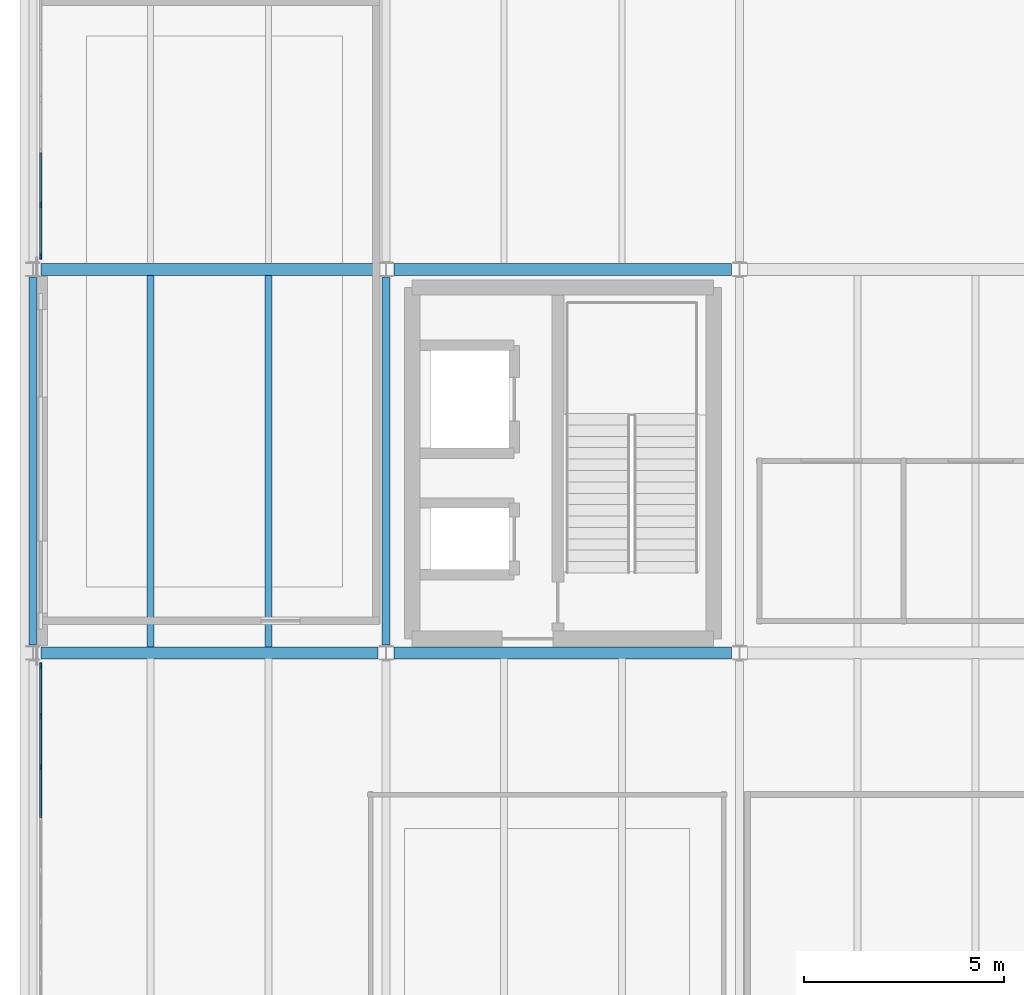
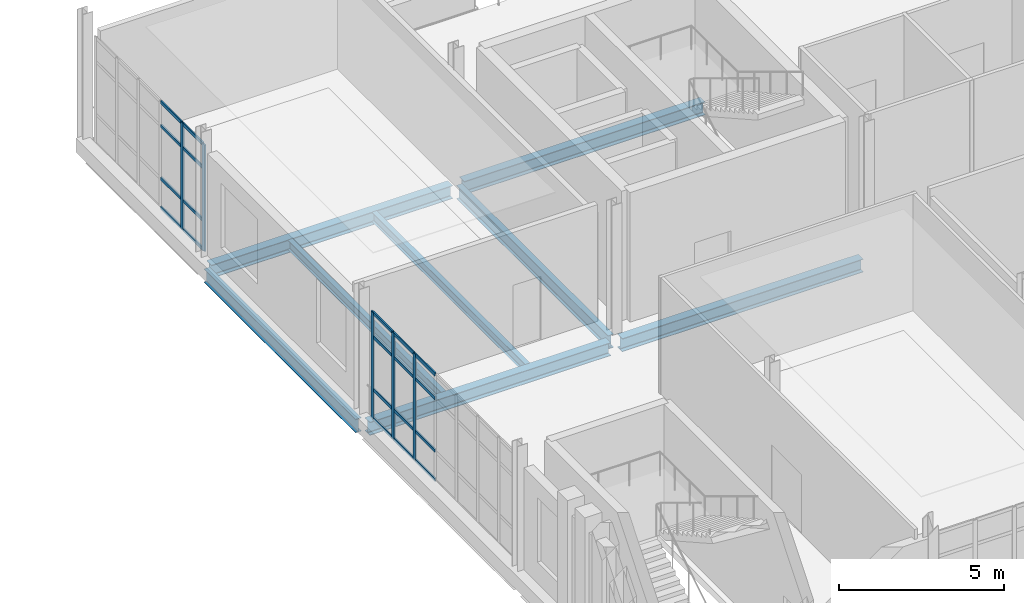
# One storey, part 21 of 112: 25 members, 8 beams, 2 elements without a shape of their own.
"""IFC4 building model written with IfcOpenShell, lengths in metres."""

import ifcopenshell
import ifcopenshell.guid

model = None  # the IFC model being written
_history = None  # IfcOwnerHistory: only IFC2X3 demands one
_inside = {}  # id of a spatial element -> (the spatial element, [elements in it])
_under = {}  # id of a project, library or spatial element -> (it, [spatial elements below it])
_declared = {}  # id of a project -> (the project, [libraries it declares])
_typed = {}  # id of a type object -> (the type object, [elements of that type])
_made_of = {}  # id of a material, layer set ... -> (it, [elements and type objects made of it])


def new_model(schema):
    """Start an empty IFC model of exactly this schema.

    Asked for "IFC4X3", IfcOpenShell would pick the latest addendum, in which some entities
    have other attributes; the version numbers below select the first issue.
    IFC2X3 requires an IfcOwnerHistory on every rooted entity: one is made here for all.
    """
    global model, _history
    if schema == "IFC4X3":
        model = ifcopenshell.file(schema_version=(4, 3, 0, 0))
    else:
        model = ifcopenshell.file(schema=schema)
    _inside.clear()
    _under.clear()
    _declared.clear()
    _typed.clear()
    _made_of.clear()
    _history = None
    if model.schema == "IFC2X3":
        org = make("IfcOrganization", Name="unknown")
        user = make(
            "IfcPersonAndOrganization",
            ThePerson=make("IfcPerson", FamilyName="unknown"),
            TheOrganization=org,
        )
        app = make(
            "IfcApplication",
            ApplicationDeveloper=org,
            Version="unknown",
            ApplicationFullName="unknown",
            ApplicationIdentifier="unknown",
        )
        _history = make(
            "IfcOwnerHistory",
            OwningUser=user,
            OwningApplication=app,
            ChangeAction="ADDED",
            CreationDate=0,
        )
    return model


def make(cls, **values):
    """One entity of the class cls with the attributes given. An attribute that is None is left unset."""
    return model.create_entity(
        cls, **{name: value for name, value in values.items() if value is not None}
    )


def rooted(cls, **values):
    """An entity with a GlobalId (a new one), such as an element, a storey or a relation."""
    return make(cls, GlobalId=ifcopenshell.guid.new(), OwnerHistory=_history, **values)


def si_unit(unit_type, name, prefix=None):
    """IfcSIUnit, for example si_unit("LENGTHUNIT", "METRE", prefix="MILLI")."""
    return make("IfcSIUnit", UnitType=unit_type, Prefix=prefix, Name=name)


def assignment(units):
    """IfcUnitAssignment: the units of a project."""
    return None if units is None else make("IfcUnitAssignment", Units=units)


def point(xyz):
    """IfcCartesianPoint."""
    return None if xyz is None else make("IfcCartesianPoint", Coordinates=xyz)


def direction(xyz):
    """IfcDirection."""
    return None if xyz is None else make("IfcDirection", DirectionRatios=xyz)


def frame(location, z_axis=None, x_axis=None):
    """IfcAxis2Placement3D, a coordinate frame: its origin and axes. An axis left out is left unset."""
    return make(
        "IfcAxis2Placement3D",
        Location=point(location),
        Axis=direction(z_axis),
        RefDirection=direction(x_axis),
    )


def frame_2d(location, x_axis=None):
    """IfcAxis2Placement2D, a coordinate frame in the plane: its origin and x axis."""
    return make(
        "IfcAxis2Placement2D", Location=point(location), RefDirection=direction(x_axis)
    )


def origin():
    """The frame at (0, 0, 0) with its axes left unset."""
    return frame((0.0, 0.0, 0.0))


def origin_2d():
    """The frame at (0, 0) in the plane with its x axis left unset."""
    return frame_2d((0.0, 0.0))


def place(relative_to, where):
    """IfcLocalPlacement: puts the frame where relative to a parent placement (None: the world)."""
    return make(
        "IfcLocalPlacement", PlacementRelTo=relative_to, RelativePlacement=where
    )


def context(
    kind, dimensions, precision=None, world=None, true_north=None, identifier=None
):
    """IfcGeometricRepresentationContext, for example the 3D "Model" context."""
    return make(
        "IfcGeometricRepresentationContext",
        ContextIdentifier=identifier,
        ContextType=kind,
        CoordinateSpaceDimension=dimensions,
        Precision=precision,
        WorldCoordinateSystem=world,
        TrueNorth=true_north,
    )


def subcontext(parent, identifier, kind, view, scale=None):
    """IfcGeometricRepresentationSubContext, for example "Body" below "Model"."""
    return make(
        "IfcGeometricRepresentationSubContext",
        ContextIdentifier=identifier,
        ContextType=kind,
        ParentContext=parent,
        TargetScale=scale,
        TargetView=view,
    )


def project(units=None, contexts=None):
    """IfcProject with its units and contexts."""
    return rooted(
        "IfcProject",
        Name="project",
        RepresentationContexts=contexts,
        UnitsInContext=assignment(units),
    )


def spatial(cls, under=None, at=None, **own):
    """A site, building, storey or space (cls), placed at a placement, below another one or the project."""
    s = rooted(cls, ObjectPlacement=at, **own)
    if under is not None:
        _under.setdefault(under.id(), (under, []))[1].append(s)
    return s


def profile(cls, at=None, kind="AREA", **sizes):
    """A parametric profile (cls). Its sizes go by their IFC names, for example OverallWidth=200.0."""
    return make(cls, ProfileType=kind, Position=at, **sizes)


def rectangle(**sizes):
    """IfcRectangleProfileDef."""
    return profile("IfcRectangleProfileDef", **sizes)


def i_section(**sizes):
    """IfcIShapeProfileDef."""
    return profile("IfcIShapeProfileDef", **sizes)


def extrude(swept, where, along, depth):
    """IfcExtrudedAreaSolid: the profile swept, set in the frame where, extruded along a direction by depth."""
    return make(
        "IfcExtrudedAreaSolid",
        SweptArea=swept,
        Position=where,
        ExtrudedDirection=direction(along),
        Depth=depth,
    )


def shape(context_of_items, identifier, shape_type, items):
    """IfcShapeRepresentation: the items that make up one representation, for example the "Body"."""
    return make(
        "IfcShapeRepresentation",
        ContextOfItems=context_of_items,
        RepresentationIdentifier=identifier,
        RepresentationType=shape_type,
        Items=items,
    )


def material(Name=None, Category=None):
    """IfcMaterial."""
    return make("IfcMaterial", Name=Name, Category=Category)


def layer(
    of_material, thickness, ventilated=None, Name=None, Category=None, Priority=None
):
    """IfcMaterialLayer: one layer of a wall or slab, of a material (None: an air gap)."""
    return make(
        "IfcMaterialLayer",
        Material=of_material,
        LayerThickness=thickness,
        IsVentilated=ventilated,
        Name=Name,
        Category=Category,
        Priority=Priority,
    )


def layer_set(layers, Name=None):
    """IfcMaterialLayerSet."""
    return make("IfcMaterialLayerSet", MaterialLayers=layers, LayerSetName=Name)


def material_profile(
    of_material, cross_section, Name=None, Category=None, Priority=None
):
    """IfcMaterialProfile: a cross section and its material."""
    return make(
        "IfcMaterialProfile",
        Name=Name,
        Material=of_material,
        Profile=cross_section,
        Priority=Priority,
        Category=Category,
    )


def profile_set(profiles, Name=None, composite=None):
    """IfcMaterialProfileSet."""
    return make(
        "IfcMaterialProfileSet",
        Name=Name,
        MaterialProfiles=profiles,
        CompositeProfile=composite,
    )


def made_of(thing, what):
    """Note that an element or type object is made of a material, layer set ...; save() writes the relation."""
    if what is not None:
        _made_of.setdefault(what.id(), (what, []))[1].append(thing)
    return thing


def type_object(cls, material=None, **own):
    """A type object (cls), such as IfcWallType, which elements share."""
    return made_of(rooted(cls, **own), material)


def element(
    cls,
    number,
    at=None,
    inside=None,
    cuts=None,
    type_object=None,
    material=None,
    context=None,
    identifier="Body",
    shape_type=None,
    held_by="IfcProductDefinitionShape",
    body=None,
    shapes=None,
    **own,
):
    """One element of the class cls, such as IfcWall. Its Tag is "e" and its number.

    at: its placement. inside: the storey or other place that contains it. cuts: it is an
    opening in that element (IfcRelVoidsElement). A single representation is given by context,
    identifier, shape_type and body (its items); several are given by shapes. held_by: the class
    of the entity that holds the representations. save() writes the other relations.
    """
    e = rooted(cls, Tag="e%d" % number, ObjectPlacement=at, **own)
    if body is not None:
        shapes = [shape(context, identifier, shape_type, body)]
    if shapes is not None:
        e.Representation = make(held_by, Representations=shapes)
    if inside is not None:
        _inside.setdefault(inside.id(), (inside, []))[1].append(e)
    if cuts is not None:
        rooted(
            "IfcRelVoidsElement", RelatingBuildingElement=cuts, RelatedOpeningElement=e
        )
    if type_object is not None:
        _typed.setdefault(type_object.id(), (type_object, []))[1].append(e)
    return made_of(e, material)


def aggregate(whole, parts):
    """IfcRelAggregates: a whole, such as a stair, and the parts it consists of."""
    return rooted("IfcRelAggregates", RelatingObject=whole, RelatedObjects=parts)


def save(model, path):
    """Write the relations noted so far, then the file.

    IfcRelAggregates (storeys below a building ...), IfcRelContainedInSpatialStructure (elements
    in a storey), IfcRelDefinesByType, IfcRelAssociatesMaterial and IfcRelDeclares: one each for
    every whole, place, type object, material and project.
    """
    for whole, parts in _under.values():
        aggregate(whole, parts)
    for where, things in _inside.values():
        rooted(
            "IfcRelContainedInSpatialStructure",
            RelatedElements=things,
            RelatingStructure=where,
        )
    for kind, things in _typed.values():
        rooted("IfcRelDefinesByType", RelatedObjects=things, RelatingType=kind)
    for what, things in _made_of.values():
        rooted("IfcRelAssociatesMaterial", RelatedObjects=things, RelatingMaterial=what)
    for by, libraries in _declared.values():
        rooted("IfcRelDeclares", RelatingContext=by, RelatedDefinitions=libraries)
    model.write(path)


model = new_model("IFC4")

# Units and contexts
model_context = context("Model", 3, precision=1e-05, world=origin(), true_north=direction((0.0, 1.0)))
body_context = subcontext(model_context, "Body", "Model", "MODEL_VIEW")
ifc_project = project(units=[si_unit("LENGTHUNIT", "METRE"), si_unit("AREAUNIT", "SQUARE_METRE"), si_unit("VOLUMEUNIT", "CUBIC_METRE"), si_unit("PLANEANGLEUNIT", "RADIAN"), si_unit("MASSUNIT", "GRAM", prefix="KILO")], contexts=[model_context])

# Site, building, storey
site_placement = place(None, origin())
site = spatial("IfcSite", under=ifc_project, at=site_placement, CompositionType="ELEMENT")
building_placement = place(site_placement, origin())
building = spatial("IfcBuilding", under=site, at=building_placement, Name="Yeouljin Market Hall", CompositionType="ELEMENT")
storey_placement = place(building_placement, frame((0.0, 0.0, 6.0)))
storey = spatial("IfcBuildingStorey", under=building, at=storey_placement, Name="L01", CompositionType="ELEMENT", Elevation=6.0)

# Beams
ifc_material_1 = material(Name="Steel SM355", Category="steel")
ifc_material_profile_1 = material_profile(ifc_material_1, i_section(OverallWidth=0.199951171875, OverallDepth=0.5, WebThickness=0.010009765625, FlangeThickness=0.01611328125, FilletRadius=0.02001953125, at=origin_2d()), Name="H-500x200x10x16")
ifc_profile_set_1 = profile_set([ifc_material_profile_1], Name="Steel SM355")
beam_type_1 = type_object("IfcBeamType", Name="Beam_H-500x200x10x16", PredefinedType="BEAM", material=ifc_profile_set_1)
for number, where, z_axis, x_axis, name in (
    (1, (0.0, 19.39990234375, -0.514892578125), (0.0, 1.0, 0.0), (-1.0, 0.0, 0.0), "Primary beam BM-L01-Y126"),
    (2, (8.85009765625, 19.39990234375, -0.514892578125), (0.0, 1.0, 0.0), (-1.0, 0.0, 0.0), "Primary beam BM-L01-Y130"),
):
    element("IfcBeam", number, at=place(storey_placement, frame(where, z_axis=z_axis, x_axis=x_axis)), inside=storey, type_object=beam_type_1, Name=name, PredefinedType="BEAM", context=body_context, shape_type="SweptSolid", body=[
        extrude(i_section(OverallWidth=0.199951171875, OverallDepth=0.5, WebThickness=0.010009765625, FlangeThickness=0.01611328125, FilletRadius=0.02001953125, at=origin_2d()), origin(), (0.0, 0.0, 1.0), 9.2001953125),
    ])

# Curtain wall, members
ifc_material_2 = material(Name="Thermally Broken Aluminium", Category="aluminium")
ifc_layer = layer(ifc_material_2, 0.14990234375)
ifc_layer_set = layer_set([ifc_layer], Name="Thermally Broken Aluminium")
curtain_wall_type = type_object("IfcCurtainWallType", Name="CW_AcademyRibbon_System", PredefinedType="USERDEFINED", material=ifc_layer_set)
curtain_wall_1_placement = place(storey_placement, origin())
curtain_wall_1 = element("IfcCurtainWall", 3, at=curtain_wall_1_placement, inside=storey, type_object=curtain_wall_type, Name="Curtain wall CW-L01-W06", ObjectType="CURTAIN WALL", PredefinedType="USERDEFINED")
ifc_material_3 = material(Name="Thermally Broken Aluminium", Category="aluminium")
ifc_material_profile_2 = material_profile(ifc_material_3, rectangle(XDim=0.048095703125, YDim=0.14990234375, at=origin_2d()), Name="CW-MULL-48x150")
ifc_profile_set_2 = profile_set([ifc_material_profile_2], Name="Thermally Broken Aluminium")
member_type_1 = type_object("IfcMemberType", Name="CWMullion_48x150", PredefinedType="MULLION", material=ifc_profile_set_2)
member_1_placement = place(storey_placement, frame((0.199951171875, 16.32861328125, 0.0), z_axis=(0.0, 0.0, 1.0), x_axis=(-1.0, 0.0, 0.0)))
member_1 = element("IfcMember", 4, at=member_1_placement, type_object=member_type_1, Name="CW-05 mullion 6", PredefinedType="MULLION", context=body_context, shape_type="SweptSolid", body=[
    extrude(rectangle(XDim=0.048095703125, YDim=0.14990234375, at=origin_2d()), origin(), (0.0, 0.0, 1.0), 3.949951171875),
])
member_2_placement = place(storey_placement, frame((0.199951171875, 17.6142578125, 0.0), z_axis=(0.0, 0.0, 1.0), x_axis=(-1.0, 0.0, 0.0)))
member_2 = element("IfcMember", 5, at=member_2_placement, type_object=member_type_1, Name="CW-05 mullion 7", PredefinedType="MULLION", context=body_context, shape_type="SweptSolid", body=[
    extrude(rectangle(XDim=0.048095703125, YDim=0.14990234375, at=origin_2d()), origin(), (0.0, 0.0, 1.0), 3.949951171875),
])
member_3_placement = place(storey_placement, frame((0.199951171875, 18.8759765625, 0.0), z_axis=(0.0, 0.0, 1.0), x_axis=(-1.0, 0.0, 0.0)))
member_3 = element("IfcMember", 6, at=member_3_placement, type_object=member_type_1, Name="CW-05 mullion 8", PredefinedType="MULLION", context=body_context, shape_type="SweptSolid", body=[
    extrude(rectangle(XDim=0.048095703125, YDim=0.14990234375, at=origin_2d()), origin(), (0.0, 0.0, 1.0), 3.949951171875),
])

curtain_wall_2_placement = place(storey_placement, origin())
curtain_wall_2 = element("IfcCurtainWall", 7, at=curtain_wall_2_placement, inside=storey, type_object=curtain_wall_type, Name="Curtain wall CW-L01-W08", ObjectType="CURTAIN WALL", PredefinedType="USERDEFINED")
member_4_placement = place(storey_placement, frame((0.199951171875, 29.1240234375, 0.0), z_axis=(0.0, 0.0, 1.0), x_axis=(-1.0, 0.0, 0.0)))
member_4 = element("IfcMember", 8, at=member_4_placement, type_object=member_type_1, Name="CW-05 mullion 1", PredefinedType="MULLION", context=body_context, shape_type="SweptSolid", body=[
    extrude(rectangle(XDim=0.048095703125, YDim=0.14990234375, at=origin_2d()), origin(), (0.0, 0.0, 1.0), 3.949951171875),
])
member_5_placement = place(storey_placement, frame((0.199951171875, 30.419921875, 0.0), z_axis=(0.0, 0.0, 1.0), x_axis=(-1.0, 0.0, 0.0)))
member_5 = element("IfcMember", 9, at=member_5_placement, type_object=member_type_1, Name="CW-05 mullion 2", PredefinedType="MULLION", context=body_context, shape_type="SweptSolid", body=[
    extrude(rectangle(XDim=0.048095703125, YDim=0.14990234375, at=origin_2d()), origin(), (0.0, 0.0, 1.0), 3.949951171875),
])

# Member
ifc_material_4 = material(Name="Thermally Broken Aluminium", Category="aluminium")
ifc_material_profile_3 = material_profile(ifc_material_4, rectangle(XDim=0.048095703125, YDim=0.1201171875, at=origin_2d()), Name="CW-TRAN-48x120")
ifc_profile_set_3 = profile_set([ifc_material_profile_3], Name="Thermally Broken Aluminium")
member_type_2 = type_object("IfcMemberType", Name="CWTransom_48x120", PredefinedType="USERDEFINED", material=ifc_profile_set_3)
member_6_placement = place(storey_placement, frame((0.199951171875, 15.06689453125, 0.02392578125), z_axis=(0.0, 1.0, 0.0), x_axis=(-1.0, 0.0, 0.0)))
member_6 = element("IfcMember", 10, at=member_6_placement, type_object=member_type_2, Name="CW-05 transom 5.1", ObjectType="TRANSOM", PredefinedType="USERDEFINED", context=body_context, shape_type="SweptSolid", body=[
    extrude(rectangle(XDim=0.048095703125, YDim=0.1201171875, at=origin_2d()), origin(), (0.0, 0.0, 1.0), 1.23779296875),
])

member_7_placement = place(storey_placement, frame((0.199951171875, 15.06689453125, 1.10009765625), z_axis=(0.0, 1.0, 0.0), x_axis=(-1.0, 0.0, 0.0)))
member_7 = element("IfcMember", 11, at=member_7_placement, type_object=member_type_2, Name="CW-05 transom 5.2", ObjectType="TRANSOM", PredefinedType="USERDEFINED", context=body_context, shape_type="SweptSolid", body=[
    extrude(rectangle(XDim=0.048095703125, YDim=0.1201171875, at=origin_2d()), origin(), (0.0, 0.0, 1.0), 1.23779296875),
])

member_8_placement = place(storey_placement, frame((0.199951171875, 15.06689453125, 3.050048828125), z_axis=(0.0, 1.0, 0.0), x_axis=(-1.0, 0.0, 0.0)))
member_8 = element("IfcMember", 12, at=member_8_placement, type_object=member_type_2, Name="CW-05 transom 5.3", ObjectType="TRANSOM", PredefinedType="USERDEFINED", context=body_context, shape_type="SweptSolid", body=[
    extrude(rectangle(XDim=0.048095703125, YDim=0.1201171875, at=origin_2d()), origin(), (0.0, 0.0, 1.0), 1.23779296875),
])

member_9_placement = place(storey_placement, frame((0.199951171875, 15.06689453125, 3.926025390625), z_axis=(0.0, 1.0, 0.0), x_axis=(-1.0, 0.0, 0.0)))
member_9 = element("IfcMember", 13, at=member_9_placement, type_object=member_type_2, Name="CW-05 transom 5.4", ObjectType="TRANSOM", PredefinedType="USERDEFINED", context=body_context, shape_type="SweptSolid", body=[
    extrude(rectangle(XDim=0.048095703125, YDim=0.1201171875, at=origin_2d()), origin(), (0.0, 0.0, 1.0), 1.23779296875),
])

member_10_placement = place(storey_placement, frame((0.199951171875, 16.3525390625, 0.02392578125), z_axis=(0.0, 1.0, 0.0), x_axis=(-1.0, 0.0, 0.0)))
member_10 = element("IfcMember", 14, at=member_10_placement, type_object=member_type_2, Name="CW-05 transom 6.1", ObjectType="TRANSOM", PredefinedType="USERDEFINED", context=body_context, shape_type="SweptSolid", body=[
    extrude(rectangle(XDim=0.048095703125, YDim=0.1201171875, at=origin_2d()), origin(), (0.0, 0.0, 1.0), 1.23779296875),
])

member_11_placement = place(storey_placement, frame((0.199951171875, 16.3525390625, 1.10009765625), z_axis=(0.0, 1.0, 0.0), x_axis=(-1.0, 0.0, 0.0)))
member_11 = element("IfcMember", 15, at=member_11_placement, type_object=member_type_2, Name="CW-05 transom 6.2", ObjectType="TRANSOM", PredefinedType="USERDEFINED", context=body_context, shape_type="SweptSolid", body=[
    extrude(rectangle(XDim=0.048095703125, YDim=0.1201171875, at=origin_2d()), origin(), (0.0, 0.0, 1.0), 1.23779296875),
])

member_12_placement = place(storey_placement, frame((0.199951171875, 16.3525390625, 3.050048828125), z_axis=(0.0, 1.0, 0.0), x_axis=(-1.0, 0.0, 0.0)))
member_12 = element("IfcMember", 16, at=member_12_placement, type_object=member_type_2, Name="CW-05 transom 6.3", ObjectType="TRANSOM", PredefinedType="USERDEFINED", context=body_context, shape_type="SweptSolid", body=[
    extrude(rectangle(XDim=0.048095703125, YDim=0.1201171875, at=origin_2d()), origin(), (0.0, 0.0, 1.0), 1.23779296875),
])

member_13_placement = place(storey_placement, frame((0.199951171875, 16.3525390625, 3.926025390625), z_axis=(0.0, 1.0, 0.0), x_axis=(-1.0, 0.0, 0.0)))
member_13 = element("IfcMember", 17, at=member_13_placement, type_object=member_type_2, Name="CW-05 transom 6.4", ObjectType="TRANSOM", PredefinedType="USERDEFINED", context=body_context, shape_type="SweptSolid", body=[
    extrude(rectangle(XDim=0.048095703125, YDim=0.1201171875, at=origin_2d()), origin(), (0.0, 0.0, 1.0), 1.23779296875),
])

member_14_placement = place(storey_placement, frame((0.199951171875, 17.63818359375, 0.02392578125), z_axis=(0.0, 1.0, 0.0), x_axis=(-1.0, 0.0, 0.0)))
member_14 = element("IfcMember", 18, at=member_14_placement, type_object=member_type_2, Name="CW-05 transom 7.1", ObjectType="TRANSOM", PredefinedType="USERDEFINED", context=body_context, shape_type="SweptSolid", body=[
    extrude(rectangle(XDim=0.048095703125, YDim=0.1201171875, at=origin_2d()), origin(), (0.0, 0.0, 1.0), 1.2138671875),
])

member_15_placement = place(storey_placement, frame((0.199951171875, 17.63818359375, 1.10009765625), z_axis=(0.0, 1.0, 0.0), x_axis=(-1.0, 0.0, 0.0)))
member_15 = element("IfcMember", 19, at=member_15_placement, type_object=member_type_2, Name="CW-05 transom 7.2", ObjectType="TRANSOM", PredefinedType="USERDEFINED", context=body_context, shape_type="SweptSolid", body=[
    extrude(rectangle(XDim=0.048095703125, YDim=0.1201171875, at=origin_2d()), origin(), (0.0, 0.0, 1.0), 1.2138671875),
])

member_16_placement = place(storey_placement, frame((0.199951171875, 17.63818359375, 3.050048828125), z_axis=(0.0, 1.0, 0.0), x_axis=(-1.0, 0.0, 0.0)))
member_16 = element("IfcMember", 20, at=member_16_placement, type_object=member_type_2, Name="CW-05 transom 7.3", ObjectType="TRANSOM", PredefinedType="USERDEFINED", context=body_context, shape_type="SweptSolid", body=[
    extrude(rectangle(XDim=0.048095703125, YDim=0.1201171875, at=origin_2d()), origin(), (0.0, 0.0, 1.0), 1.2138671875),
])

member_17_placement = place(storey_placement, frame((0.199951171875, 17.63818359375, 3.926025390625), z_axis=(0.0, 1.0, 0.0), x_axis=(-1.0, 0.0, 0.0)))
member_17 = element("IfcMember", 21, at=member_17_placement, type_object=member_type_2, Name="CW-05 transom 7.4", ObjectType="TRANSOM", PredefinedType="USERDEFINED", context=body_context, shape_type="SweptSolid", body=[
    extrude(rectangle(XDim=0.048095703125, YDim=0.1201171875, at=origin_2d()), origin(), (0.0, 0.0, 1.0), 1.2138671875),
])

aggregate(curtain_wall_1, [member_1, member_2, member_3, member_6, member_7, member_8, member_9, member_10, member_11, member_12, member_13, member_14, member_15, member_16, member_17])

member_18_placement = place(storey_placement, frame((0.199951171875, 29.14794921875, 0.02392578125), z_axis=(0.0, 1.0, 0.0), x_axis=(-1.0, 0.0, 0.0)))
member_18 = element("IfcMember", 22, at=member_18_placement, type_object=member_type_2, Name="CW-05 transom 1.1", ObjectType="TRANSOM", PredefinedType="USERDEFINED", context=body_context, shape_type="SweptSolid", body=[
    extrude(rectangle(XDim=0.048095703125, YDim=0.1201171875, at=origin_2d()), origin(), (0.0, 0.0, 1.0), 1.248046875),
])

member_19_placement = place(storey_placement, frame((0.199951171875, 29.14794921875, 1.10009765625), z_axis=(0.0, 1.0, 0.0), x_axis=(-1.0, 0.0, 0.0)))
member_19 = element("IfcMember", 23, at=member_19_placement, type_object=member_type_2, Name="CW-05 transom 1.2", ObjectType="TRANSOM", PredefinedType="USERDEFINED", context=body_context, shape_type="SweptSolid", body=[
    extrude(rectangle(XDim=0.048095703125, YDim=0.1201171875, at=origin_2d()), origin(), (0.0, 0.0, 1.0), 1.248046875),
])

member_20_placement = place(storey_placement, frame((0.199951171875, 29.14794921875, 3.050048828125), z_axis=(0.0, 1.0, 0.0), x_axis=(-1.0, 0.0, 0.0)))
member_20 = element("IfcMember", 24, at=member_20_placement, type_object=member_type_2, Name="CW-05 transom 1.3", ObjectType="TRANSOM", PredefinedType="USERDEFINED", context=body_context, shape_type="SweptSolid", body=[
    extrude(rectangle(XDim=0.048095703125, YDim=0.1201171875, at=origin_2d()), origin(), (0.0, 0.0, 1.0), 1.248046875),
])

member_21_placement = place(storey_placement, frame((0.199951171875, 29.14794921875, 3.926025390625), z_axis=(0.0, 1.0, 0.0), x_axis=(-1.0, 0.0, 0.0)))
member_21 = element("IfcMember", 25, at=member_21_placement, type_object=member_type_2, Name="CW-05 transom 1.4", ObjectType="TRANSOM", PredefinedType="USERDEFINED", context=body_context, shape_type="SweptSolid", body=[
    extrude(rectangle(XDim=0.048095703125, YDim=0.1201171875, at=origin_2d()), origin(), (0.0, 0.0, 1.0), 1.248046875),
])

member_22_placement = place(storey_placement, frame((0.199951171875, 30.444091796875, 0.02392578125), z_axis=(0.0, 1.0, 0.0), x_axis=(-1.0, 0.0, 0.0)))
member_22 = element("IfcMember", 26, at=member_22_placement, type_object=member_type_2, Name="CW-05 transom 2.1", ObjectType="TRANSOM", PredefinedType="USERDEFINED", context=body_context, shape_type="SweptSolid", body=[
    extrude(rectangle(XDim=0.048095703125, YDim=0.1201171875, at=origin_2d()), origin(), (0.0, 0.0, 1.0), 1.27197265625),
])

member_23_placement = place(storey_placement, frame((0.199951171875, 30.444091796875, 1.10009765625), z_axis=(0.0, 1.0, 0.0), x_axis=(-1.0, 0.0, 0.0)))
member_23 = element("IfcMember", 27, at=member_23_placement, type_object=member_type_2, Name="CW-05 transom 2.2", ObjectType="TRANSOM", PredefinedType="USERDEFINED", context=body_context, shape_type="SweptSolid", body=[
    extrude(rectangle(XDim=0.048095703125, YDim=0.1201171875, at=origin_2d()), origin(), (0.0, 0.0, 1.0), 1.27197265625),
])

member_24_placement = place(storey_placement, frame((0.199951171875, 30.444091796875, 3.050048828125), z_axis=(0.0, 1.0, 0.0), x_axis=(-1.0, 0.0, 0.0)))
member_24 = element("IfcMember", 28, at=member_24_placement, type_object=member_type_2, Name="CW-05 transom 2.3", ObjectType="TRANSOM", PredefinedType="USERDEFINED", context=body_context, shape_type="SweptSolid", body=[
    extrude(rectangle(XDim=0.048095703125, YDim=0.1201171875, at=origin_2d()), origin(), (0.0, 0.0, 1.0), 1.27197265625),
])

member_25_placement = place(storey_placement, frame((0.199951171875, 30.444091796875, 3.926025390625), z_axis=(0.0, 1.0, 0.0), x_axis=(-1.0, 0.0, 0.0)))
member_25 = element("IfcMember", 29, at=member_25_placement, type_object=member_type_2, Name="CW-05 transom 2.4", ObjectType="TRANSOM", PredefinedType="USERDEFINED", context=body_context, shape_type="SweptSolid", body=[
    extrude(rectangle(XDim=0.048095703125, YDim=0.1201171875, at=origin_2d()), origin(), (0.0, 0.0, 1.0), 1.27197265625),
])

aggregate(curtain_wall_2, [member_4, member_5, member_18, member_19, member_20, member_21, member_22, member_23, member_24, member_25])

# Beams
ifc_material_5 = material(Name="Steel SM355", Category="steel")
ifc_material_profile_4 = material_profile(ifc_material_5, i_section(OverallWidth=0.300048828125, OverallDepth=0.488037109375, WebThickness=0.010986328125, FlangeThickness=0.01806640625, FilletRadius=0.02197265625, at=origin_2d()), Name="H-488x300x11x18")
ifc_profile_set_4 = profile_set([ifc_material_profile_4], Name="Steel SM355")
beam_type_2 = type_object("IfcBeamType", Name="Girder_H-488x300x11x18", PredefinedType="USERDEFINED", material=ifc_profile_set_4)
for number, where, z_axis, x_axis, name in (
    (30, (0.199951171875, 19.199951171875, -0.509033203125), (1.0, 0.0, 0.0), (0.0, 1.0, 0.0), "Primary girder GRD-L01-X029"),
    (31, (9.050048828125, 19.199951171875, -0.509033203125), (1.0, 0.0, 0.0), (0.0, 1.0, 0.0), "Primary girder GRD-L01-X030"),
    (32, (0.199951171875, 28.800048828125, -0.509033203125), (1.0, 0.0, 0.0), (0.0, 1.0, 0.0), "Primary girder GRD-L01-X037"),
    (33, (9.050048828125, 28.800048828125, -0.509033203125), (1.0, 0.0, 0.0), (0.0, 1.0, 0.0), "Primary girder GRD-L01-X038"),
):
    element("IfcBeam", number, at=place(storey_placement, frame(where, z_axis=z_axis, x_axis=x_axis)), inside=storey, type_object=beam_type_2, Name=name, ObjectType="GIRDER", PredefinedType="USERDEFINED", context=body_context, shape_type="SweptSolid", body=[
        extrude(i_section(OverallWidth=0.300048828125, OverallDepth=0.488037109375, WebThickness=0.010986328125, FlangeThickness=0.01806640625, FilletRadius=0.02197265625, at=origin_2d()), origin(), (0.0, 0.0, 1.0), 8.449951171875),
    ])
ifc_material_6 = material(Name="Steel SM355", Category="steel")
ifc_material_profile_5 = material_profile(ifc_material_6, i_section(OverallWidth=0.175048828125, OverallDepth=0.35009765625, WebThickness=0.007080078125, FlangeThickness=0.010986328125, FilletRadius=0.013916015625, at=origin_2d()), Name="H-350x175x7x11")
ifc_profile_set_5 = profile_set([ifc_material_profile_5], Name="Steel SM355")
beam_type_3 = type_object("IfcBeamType", Name="Joist_H-350x175x7x11", PredefinedType="JOIST", material=ifc_profile_set_5)
for number, where, z_axis, x_axis, name in (
    (34, (2.949951171875, 19.346923828125, -0.43994140625), (0.0, 1.0, 0.0), (-1.0, 0.0, 0.0), "Secondary floor joist L01-004"),
    (35, (5.89990234375, 19.346923828125, -0.43994140625), (0.0, 1.0, 0.0), (-1.0, 0.0, 0.0), "Secondary floor joist L01-005"),
):
    element("IfcBeam", number, at=place(storey_placement, frame(where, z_axis=z_axis, x_axis=x_axis)), inside=storey, type_object=beam_type_3, Name=name, PredefinedType="JOIST", context=body_context, shape_type="SweptSolid", body=[
        extrude(i_section(OverallWidth=0.175048828125, OverallDepth=0.35009765625, WebThickness=0.007080078125, FlangeThickness=0.010986328125, FilletRadius=0.013916015625, at=origin_2d()), origin(), (0.0, 0.0, 1.0), 9.30615234375),
    ])

save(model, "model.ifc")
